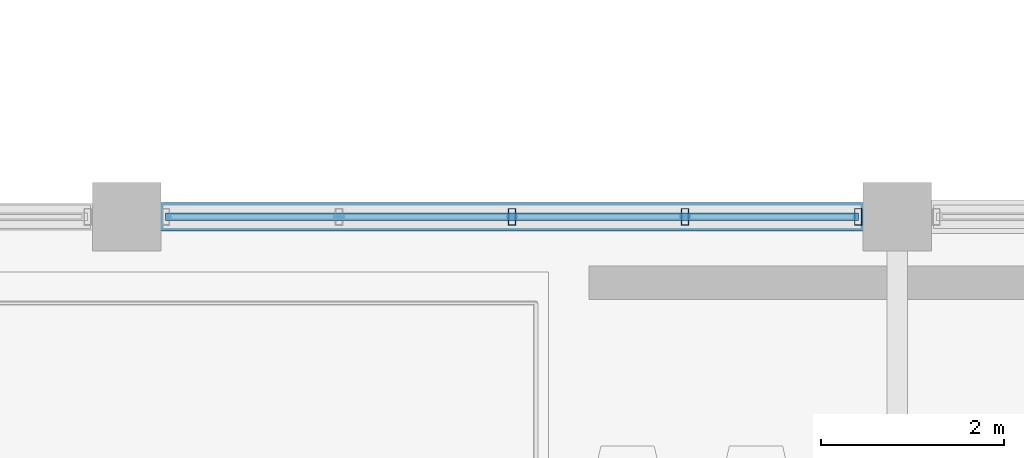
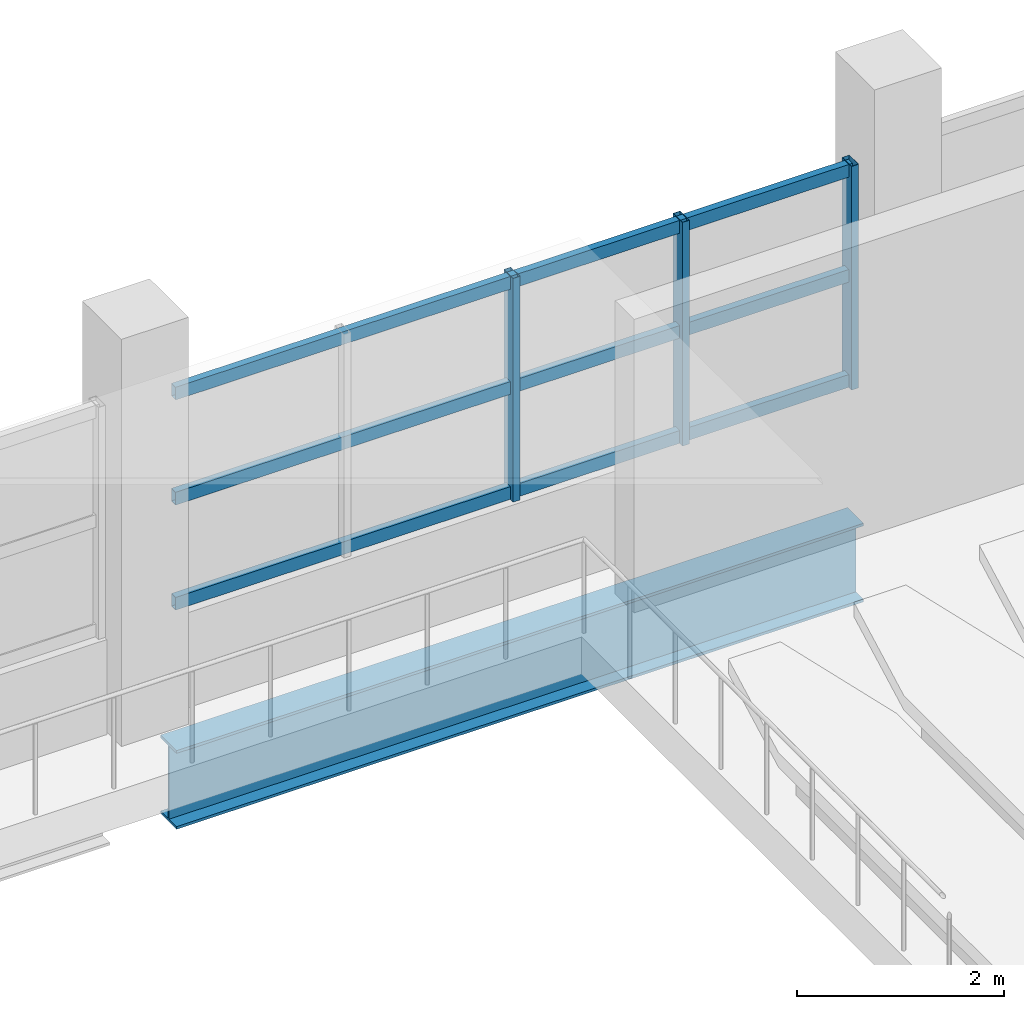
# One storey, part 38 of 77: 6 members, 1 beam, 1 element without a shape of its own.
"""IFC4 building model written with IfcOpenShell, lengths in metres."""

from ifc_helpers import new_model, si_unit, direction, frame, origin, origin_2d, place, context, subcontext, project, spatial, hollow_rectangle, i_section, extrude, material, material_profile, profile_set, type_object, element, aggregate, save


model = new_model("IFC4")

# Units and contexts
model_context = context("Model", 3, precision=1e-05, world=origin(), true_north=direction((0.0, 1.0)))
body_context = subcontext(model_context, "Body", "Model", "MODEL_VIEW")
ifc_project = project(units=[si_unit("LENGTHUNIT", "METRE"), si_unit("AREAUNIT", "SQUARE_METRE"), si_unit("VOLUMEUNIT", "CUBIC_METRE"), si_unit("PLANEANGLEUNIT", "RADIAN"), si_unit("MASSUNIT", "GRAM", prefix="KILO")], contexts=[model_context])

# Site, building, storey
site_placement = place(None, origin())
site = spatial("IfcSite", under=ifc_project, at=site_placement, CompositionType="ELEMENT")
building_placement = place(site_placement, origin())
building = spatial("IfcBuilding", under=site, at=building_placement, Name="Solvento Point Concert Hall", CompositionType="ELEMENT")
storey_placement = place(building_placement, frame((0.0, 0.0, 10.199951171875)))
storey = spatial("IfcBuildingStorey", under=building, at=storey_placement, Name="L02", CompositionType="ELEMENT", Elevation=10.199951171875)

# Beam
ifc_material_1 = material(Name="Structural Steel ASTM A992 Grade 50", Category="steel")
ifc_material_profile_1 = material_profile(ifc_material_1, i_section(OverallWidth=0.3076171875, OverallDepth=0.927001953125, WebThickness=0.019287109375, FlangeThickness=0.031982421875, at=origin_2d()), Name="W36X194")
ifc_profile_set_1 = profile_set([ifc_material_profile_1], Name="Structural Steel ASTM A992 Grade 50")
beam_type = type_object("IfcBeamType", Name="Girder_W36X194", PredefinedType="USERDEFINED", material=ifc_profile_set_1)
beam_placement = place(storey_placement, frame((183.968994140625, 25.5, -0.907470703125), z_axis=(1.0, 0.0, 0.0), x_axis=(0.0, 1.0, 0.0)))
element("IfcBeam", 1, at=beam_placement, inside=storey, type_object=beam_type, Name="Primary girder B-61 L02", ObjectType="GIRDER", PredefinedType="USERDEFINED", context=body_context, shape_type="SweptSolid", body=[
    extrude(i_section(OverallWidth=0.3076171875, OverallDepth=0.927001953125, WebThickness=0.019287109375, FlangeThickness=0.031982421875, at=origin_2d()), origin(), (0.0, 0.0, 1.0), 7.662109375),
])

# Curtain wall, members
ifc_material_2 = material(Name="Anodized Bronze Aluminium", Category="aluminium")
curtain_wall_type = type_object("IfcCurtainWallType", Name="CurtainWall_ChamberCircle", PredefinedType="USERDEFINED", material=ifc_material_2)
curtain_wall_placement = place(storey_placement, origin())
curtain_wall = element("IfcCurtainWall", 2, at=curtain_wall_placement, inside=storey, type_object=curtain_wall_type, Name="Unitised curtain wall CW-32 UCW-L02-149", ObjectType="UNITISED CURTAIN WALL", PredefinedType="USERDEFINED")
ifc_material_3 = material(Name="Anodized Bronze Aluminium", Category="aluminium")
ifc_material_profile_2 = material_profile(ifc_material_3, hollow_rectangle(XDim=0.080078125, YDim=0.179931640625, WallThickness=0.00390625, at=origin_2d()), Name="CW-MUL-80X180")
ifc_profile_set_2 = profile_set([ifc_material_profile_2], Name="Anodized Bronze Aluminium")
member_type_1 = type_object("IfcMemberType", Name="Mullion_80x180", PredefinedType="MULLION", material=ifc_profile_set_2)
member_1_placement = place(storey_placement, frame((187.800048828125, 25.5, 1.1201171875), z_axis=(0.0, 0.0, 1.0), x_axis=(1.0, 0.0, 0.0)))
member_1 = element("IfcMember", 3, at=member_1_placement, type_object=member_type_1, Name="Curtain wall mullion ML-01", PredefinedType="MULLION", context=body_context, shape_type="SweptSolid", body=[
    extrude(hollow_rectangle(XDim=0.080078125, YDim=0.179931640625, WallThickness=0.00390625, at=origin_2d()), origin(), (0.0, 0.0, 1.0), 2.637939453125),
])
member_2_placement = place(storey_placement, frame((189.6875, 25.5, 1.1201171875), z_axis=(0.0, 0.0, 1.0), x_axis=(1.0, 0.0, 0.0)))
member_2 = element("IfcMember", 4, at=member_2_placement, type_object=member_type_1, Name="Curtain wall mullion ML-01", PredefinedType="MULLION", context=body_context, shape_type="SweptSolid", body=[
    extrude(hollow_rectangle(XDim=0.080078125, YDim=0.179931640625, WallThickness=0.00390625, at=origin_2d()), origin(), (0.0, 0.0, 1.0), 2.637939453125),
])
member_3_placement = place(storey_placement, frame((191.574951171875, 25.5, 1.1201171875), z_axis=(0.0, 0.0, 1.0), x_axis=(1.0, 0.0, 0.0)))
member_3 = element("IfcMember", 5, at=member_3_placement, type_object=member_type_1, Name="Curtain wall mullion ML-01", PredefinedType="MULLION", context=body_context, shape_type="SweptSolid", body=[
    extrude(hollow_rectangle(XDim=0.080078125, YDim=0.179931640625, WallThickness=0.00390625, at=origin_2d()), origin(), (0.0, 0.0, 1.0), 2.637939453125),
])
ifc_material_4 = material(Name="Anodized Bronze Aluminium", Category="aluminium")
ifc_material_profile_3 = material_profile(ifc_material_4, hollow_rectangle(XDim=0.080078125, YDim=0.14990234375, WallThickness=0.00390625, at=origin_2d()), Name="CW-TRN-80X150")
ifc_profile_set_3 = profile_set([ifc_material_profile_3], Name="Anodized Bronze Aluminium")
member_type_2 = type_object("IfcMemberType", Name="Transom_80x150", PredefinedType="USERDEFINED", material=ifc_profile_set_3)
member_4_placement = place(storey_placement, frame((184.02490234375, 25.5, 1.199951171875), z_axis=(1.0, 0.0, 0.0), x_axis=(0.0, 1.0, 0.0)))
member_4 = element("IfcMember", 6, at=member_4_placement, type_object=member_type_2, Name="Curtain wall transom TR-01", ObjectType="TRANSOM", PredefinedType="USERDEFINED", context=body_context, shape_type="SweptSolid", body=[
    extrude(hollow_rectangle(XDim=0.080078125, YDim=0.14990234375, WallThickness=0.00390625, at=origin_2d()), origin(), (0.0, 0.0, 1.0), 7.550048828125),
])
member_5_placement = place(storey_placement, frame((184.02490234375, 25.5, 2.43896484375), z_axis=(1.0, 0.0, 0.0), x_axis=(0.0, 1.0, 0.0)))
member_5 = element("IfcMember", 7, at=member_5_placement, type_object=member_type_2, Name="Curtain wall transom TR-01", ObjectType="TRANSOM", PredefinedType="USERDEFINED", context=body_context, shape_type="SweptSolid", body=[
    extrude(hollow_rectangle(XDim=0.080078125, YDim=0.14990234375, WallThickness=0.00390625, at=origin_2d()), origin(), (0.0, 0.0, 1.0), 7.550048828125),
])
member_6_placement = place(storey_placement, frame((184.02490234375, 25.5, 3.677978515625), z_axis=(1.0, 0.0, 0.0), x_axis=(0.0, 1.0, 0.0)))
member_6 = element("IfcMember", 8, at=member_6_placement, type_object=member_type_2, Name="Curtain wall transom TR-01", ObjectType="TRANSOM", PredefinedType="USERDEFINED", context=body_context, shape_type="SweptSolid", body=[
    extrude(hollow_rectangle(XDim=0.080078125, YDim=0.14990234375, WallThickness=0.00390625, at=origin_2d()), origin(), (0.0, 0.0, 1.0), 7.550048828125),
])
aggregate(curtain_wall, [member_1, member_2, member_3, member_4, member_5, member_6])

save(model, "model.ifc")
